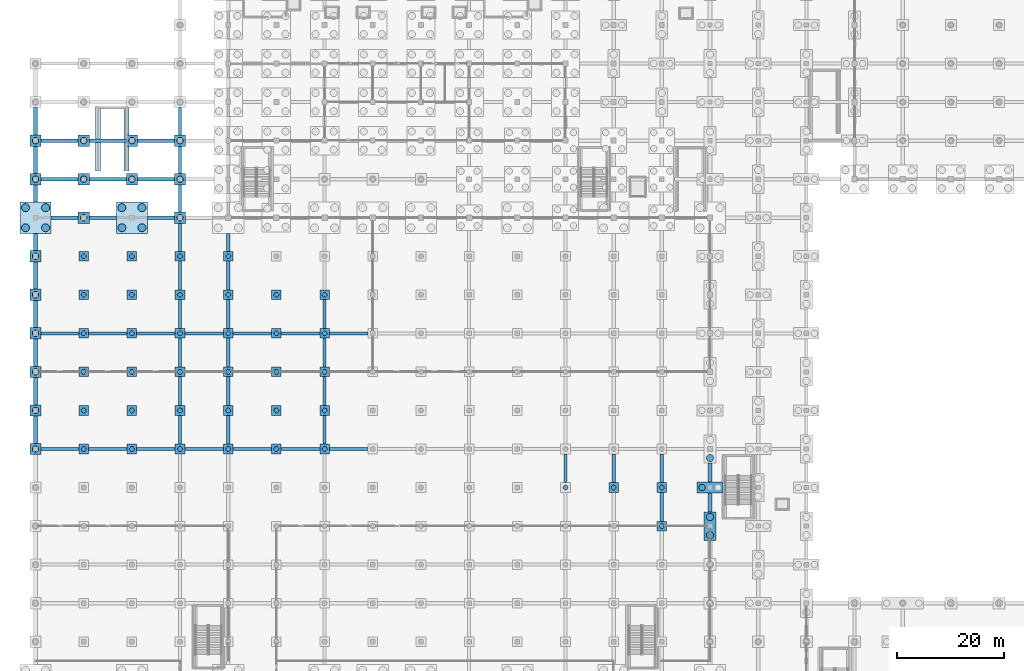
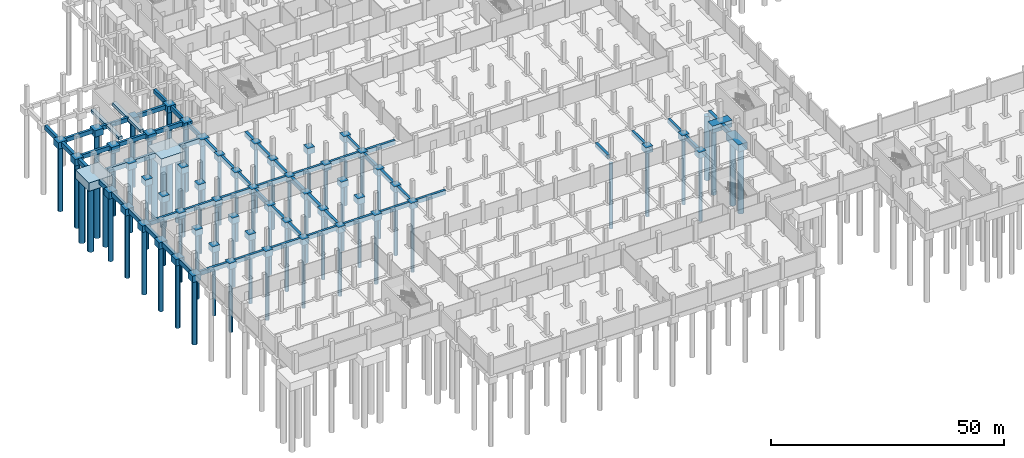
# One storey, part 3 of 39: 116 footings, 66 piles.
"""IFC4 building model written with IfcOpenShell, lengths in metres."""

from ifc_helpers import new_model, si_unit, direction, frame, origin, origin_2d, place, context, subcontext, project, spatial, rectangle, circle, extrude, material, material_profile, profile_set, type_object, element, save


model = new_model("IFC4")

# Units and contexts
model_context = context("Model", 3, precision=1e-05, world=origin(), true_north=direction((0.0, 1.0)))
body_context = subcontext(model_context, "Body", "Model", "MODEL_VIEW")
ifc_project = project(units=[si_unit("LENGTHUNIT", "METRE"), si_unit("AREAUNIT", "SQUARE_METRE"), si_unit("VOLUMEUNIT", "CUBIC_METRE"), si_unit("PLANEANGLEUNIT", "RADIAN"), si_unit("MASSUNIT", "GRAM", prefix="KILO")], contexts=[model_context])

# Site, building, storey
site_placement = place(None, origin())
site = spatial("IfcSite", under=ifc_project, at=site_placement, CompositionType="ELEMENT")
building_placement = place(site_placement, origin())
building = spatial("IfcBuilding", under=site, at=building_placement, Name="Celestram Park Convention Centre", CompositionType="ELEMENT")
storey_placement = place(building_placement, frame((0.0, 0.0, -5.39990234375)))
storey = spatial("IfcBuildingStorey", under=building, at=storey_placement, Name="B1", CompositionType="ELEMENT", Elevation=-5.39990234375)

# Footings
ifc_material_1 = material(Name="Concrete C40/50", Category="concrete")
footing_type_1 = type_object("IfcFootingType", Name="STR-CAP-PC1", PredefinedType="PILE_CAP", material=ifc_material_1)
for number, where, z_axis, x_axis, name in (
    (1, (9.0, 64.800048828125, -1.60009765625), (0.0, 0.0, 1.0), (1.0, 0.0, 0.0), "Caisson cap PC-01 at (9.0, 64.8)"),
    (2, (9.0, 72.0, -1.60009765625), (0.0, 0.0, 1.0), (1.0, 0.0, 0.0), "Caisson cap PC-01 at (9.0, 72.0)"),
    (3, (9.0, 79.199951171875, -1.60009765625), (0.0, 0.0, 1.0), (1.0, 0.0, 0.0), "Caisson cap PC-01 at (9.0, 79.2)"),
    (4, (9.0, 86.39990234375, -1.60009765625), (0.0, 0.0, 1.0), (1.0, 0.0, 0.0), "Caisson cap PC-01 at (9.0, 86.4)"),
    (5, (9.0, 93.60009765625, -1.60009765625), (0.0, 0.0, 1.0), (1.0, 0.0, 0.0), "Caisson cap PC-01 at (9.0, 93.6)"),
    (6, (9.0, 100.800048828125, -1.60009765625), (0.0, 0.0, 1.0), (1.0, 0.0, 0.0), "Caisson cap PC-01 at (9.0, 100.8)"),
    (7, (18.0, 64.800048828125, -1.60009765625), (0.0, 0.0, 1.0), (1.0, 0.0, 0.0), "Caisson cap PC-01 at (18.0, 64.8)"),
    (8, (18.0, 72.0, -1.60009765625), (0.0, 0.0, 1.0), (1.0, 0.0, 0.0), "Caisson cap PC-01 at (18.0, 72.0)"),
    (9, (18.0, 79.199951171875, -1.60009765625), (0.0, 0.0, 1.0), (1.0, 0.0, 0.0), "Caisson cap PC-01 at (18.0, 79.2)"),
    (10, (18.0, 86.39990234375, -1.60009765625), (0.0, 0.0, 1.0), (1.0, 0.0, 0.0), "Caisson cap PC-01 at (18.0, 86.4)"),
    (11, (18.0, 93.60009765625, -1.60009765625), (0.0, 0.0, 1.0), (1.0, 0.0, 0.0), "Caisson cap PC-01 at (18.0, 93.6)"),
    (12, (18.0, 100.800048828125, -1.60009765625), (0.0, 0.0, 1.0), (1.0, 0.0, 0.0), "Caisson cap PC-01 at (18.0, 100.8)"),
    (13, (27.0, 64.800048828125, -1.60009765625), (0.0, 0.0, 1.0), (1.0, 0.0, 0.0), "Caisson cap PC-01 at (27.0, 64.8)"),
    (14, (27.0, 72.0, -1.60009765625), (0.0, 0.0, 1.0), (1.0, 0.0, 0.0), "Caisson cap PC-01 at (27.0, 72.0)"),
    (15, (27.0, 79.199951171875, -1.60009765625), (0.0, 0.0, 1.0), (1.0, 0.0, 0.0), "Caisson cap PC-01 at (27.0, 79.2)"),
    (16, (27.0, 86.39990234375, -1.60009765625), (0.0, 0.0, 1.0), (1.0, 0.0, 0.0), "Caisson cap PC-01 at (27.0, 86.4)"),
    (17, (27.0, 93.60009765625, -1.60009765625), (0.0, 0.0, 1.0), (1.0, 0.0, 0.0), "Caisson cap PC-01 at (27.0, 93.6)"),
    (18, (27.0, 100.800048828125, -1.60009765625), (0.0, 0.0, 1.0), (1.0, 0.0, 0.0), "Caisson cap PC-01 at (27.0, 100.8)"),
    (19, (36.0, 64.800048828125, -1.60009765625), (0.0, 0.0, 1.0), (1.0, 0.0, 0.0), "Caisson cap PC-01 at (36.0, 64.8)"),
    (20, (36.0, 72.0, -1.60009765625), (0.0, 0.0, 1.0), (1.0, 0.0, 0.0), "Caisson cap PC-01 at (36.0, 72.0)"),
    (21, (36.0, 79.199951171875, -1.60009765625), (0.0, 0.0, 1.0), (1.0, 0.0, 0.0), "Caisson cap PC-01 at (36.0, 79.2)"),
    (22, (36.0, 86.39990234375, -1.60009765625), (0.0, 0.0, 1.0), (1.0, 0.0, 0.0), "Caisson cap PC-01 at (36.0, 86.4)"),
    (23, (36.0, 93.60009765625, -1.60009765625), (0.0, 0.0, 1.0), (1.0, 0.0, 0.0), "Caisson cap PC-01 at (36.0, 93.6)"),
    (24, (36.0, 100.800048828125, -1.60009765625), (0.0, 0.0, 1.0), (1.0, 0.0, 0.0), "Caisson cap PC-01 at (36.0, 100.8)"),
    (25, (45.0, 64.800048828125, -1.60009765625), (0.0, 0.0, 1.0), (1.0, 0.0, 0.0), "Caisson cap PC-01 at (45.0, 64.8)"),
    (26, (45.0, 72.0, -1.60009765625), (0.0, 0.0, 1.0), (1.0, 0.0, 0.0), "Caisson cap PC-01 at (45.0, 72.0)"),
    (27, (45.0, 79.199951171875, -1.60009765625), (0.0, 0.0, 1.0), (1.0, 0.0, 0.0), "Caisson cap PC-01 at (45.0, 79.2)"),
    (28, (45.0, 86.39990234375, -1.60009765625), (0.0, 0.0, 1.0), (1.0, 0.0, 0.0), "Caisson cap PC-01 at (45.0, 86.4)"),
    (29, (45.0, 93.60009765625, -1.60009765625), (0.0, 0.0, 1.0), (1.0, 0.0, 0.0), "Caisson cap PC-01 at (45.0, 93.6)"),
    (30, (54.0, 64.800048828125, -1.60009765625), (0.0, 0.0, 1.0), (1.0, 0.0, 0.0), "Caisson cap PC-01 at (54.0, 64.8)"),
    (31, (54.0, 72.0, -1.60009765625), (0.0, 0.0, 1.0), (1.0, 0.0, 0.0), "Caisson cap PC-01 at (54.0, 72.0)"),
    (32, (54.0, 79.199951171875, -1.60009765625), (0.0, 0.0, 1.0), (1.0, 0.0, 0.0), "Caisson cap PC-01 at (54.0, 79.2)"),
    (33, (54.0, 86.39990234375, -1.60009765625), (0.0, 0.0, 1.0), (1.0, 0.0, 0.0), "Caisson cap PC-01 at (54.0, 86.4)"),
    (34, (54.0, 93.60009765625, -1.60009765625), (0.0, 0.0, 1.0), (1.0, 0.0, 0.0), "Caisson cap PC-01 at (54.0, 93.6)"),
    (35, (108.0, 57.60009765625, -1.60009765625), (0.0, 0.0, 1.0), (1.0, 0.0, 0.0), "Caisson cap PC-01 at (108.0, 57.6)"),
    (36, (117.0, 50.39990234375, -1.60009765625), (0.0, 0.0, 1.0), (1.0, 0.0, 0.0), "Caisson cap PC-01 at (117.0, 50.4)"),
    (37, (117.0, 57.60009765625, -1.60009765625), (0.0, 0.0, 1.0), (1.0, 0.0, 0.0), "Caisson cap PC-01 at (117.0, 57.6)"),
):
    element("IfcFooting", number, at=place(storey_placement, frame(where, z_axis=z_axis, x_axis=x_axis)), inside=storey, type_object=footing_type_1, Name=name, PredefinedType="PILE_CAP", context=body_context, shape_type="SweptSolid", body=[
        extrude(rectangle(XDim=1.800048828125, YDim=1.800048828125, at=origin_2d()), origin(), (0.0, 0.0, 1.0), 1.60009765625),
    ])
footing_type_2 = type_object("IfcFootingType", Name="STR-CAP-PC2", PredefinedType="PILE_CAP", material=ifc_material_1)
for number, where, z_axis, x_axis, name in (
    (38, (0.0, 64.800048828125, -1.7001953125), (0.0, 0.0, 1.0), (1.0, 0.0, 0.0), "Caisson cap PC-02 at (0.0, 64.8)"),
    (39, (0.0, 72.0, -1.7001953125), (0.0, 0.0, 1.0), (1.0, 0.0, 0.0), "Caisson cap PC-02 at (0.0, 72.0)"),
    (40, (0.0, 79.199951171875, -1.7001953125), (0.0, 0.0, 1.0), (1.0, 0.0, 0.0), "Caisson cap PC-02 at (0.0, 79.2)"),
    (41, (0.0, 86.39990234375, -1.7001953125), (0.0, 0.0, 1.0), (1.0, 0.0, 0.0), "Caisson cap PC-02 at (0.0, 86.4)"),
    (42, (0.0, 93.60009765625, -1.7001953125), (0.0, 0.0, 1.0), (1.0, 0.0, 0.0), "Caisson cap PC-02 at (0.0, 93.6)"),
    (43, (0.0, 100.800048828125, -1.7001953125), (0.0, 0.0, 1.0), (1.0, 0.0, 0.0), "Caisson cap PC-02 at (0.0, 100.8)"),
    (44, (0.0, 115.199951171875, -1.7001953125), (0.0, 0.0, 1.0), (1.0, 0.0, 0.0), "Caisson cap PC-02 at (0.0, 115.2)"),
    (45, (0.0, 122.39990234375, -1.7001953125), (0.0, 0.0, 1.0), (1.0, 0.0, 0.0), "Caisson cap PC-02 at (0.0, 122.4)"),
    (46, (9.0, 108.0, -1.7001953125), (0.0, 0.0, 1.0), (1.0, 0.0, 0.0), "Caisson cap PC-02 at (9.0, 108.0)"),
    (47, (9.0, 115.199951171875, -1.7001953125), (0.0, 0.0, 1.0), (1.0, 0.0, 0.0), "Caisson cap PC-02 at (9.0, 115.2)"),
    (48, (9.0, 122.39990234375, -1.7001953125), (0.0, 0.0, 1.0), (1.0, 0.0, 0.0), "Caisson cap PC-02 at (9.0, 122.4)"),
    (49, (18.0, 115.199951171875, -1.7001953125), (0.0, 0.0, 1.0), (1.0, 0.0, 0.0), "Caisson cap PC-02 at (18.0, 115.2)"),
    (50, (18.0, 122.39990234375, -1.7001953125), (0.0, 0.0, 1.0), (1.0, 0.0, 0.0), "Caisson cap PC-02 at (18.0, 122.4)"),
    (51, (27.0, 108.0, -1.7001953125), (0.0, 0.0, 1.0), (1.0, 0.0, 0.0), "Caisson cap PC-02 at (27.0, 108.0)"),
    (52, (27.0, 115.199951171875, -1.7001953125), (0.0, 0.0, 1.0), (1.0, 0.0, 0.0), "Caisson cap PC-02 at (27.0, 115.2)"),
    (53, (27.0, 122.39990234375, -1.7001953125), (0.0, 0.0, 1.0), (1.0, 0.0, 0.0), "Caisson cap PC-02 at (27.0, 122.4)"),
):
    element("IfcFooting", number, at=place(storey_placement, frame(where, z_axis=z_axis, x_axis=x_axis)), inside=storey, type_object=footing_type_2, Name=name, PredefinedType="PILE_CAP", context=body_context, shape_type="SweptSolid", body=[
        extrude(rectangle(XDim=2.10009765625, YDim=2.10009765625, at=origin_2d()), origin(), (0.0, 0.0, 1.0), 1.699951171875),
    ])
footing_type_3 = type_object("IfcFootingType", Name="STR-CAP-PC4", PredefinedType="PILE_CAP", material=ifc_material_1)
footing_1_placement = place(storey_placement, frame((126.0, 57.60009765625, -1.80029296875), z_axis=(0.0, 0.0, 1.0), x_axis=(1.0, 0.0, 0.0)))
element("IfcFooting", 54, at=footing_1_placement, inside=storey, type_object=footing_type_3, Name="Caisson cap PC-04 at (126.0, 57.6)", PredefinedType="PILE_CAP", context=body_context, shape_type="SweptSolid", body=[
    extrude(rectangle(XDim=4.800048828125, YDim=2.10009765625, at=origin_2d()), origin(), (0.0, 0.0, 1.0), 1.800048828125),
])
footing_type_4 = type_object("IfcFootingType", Name="STR-CAP-PC5", PredefinedType="PILE_CAP", material=ifc_material_1)
footing_2_placement = place(storey_placement, frame((126.0, 50.39990234375, -1.900146484375), z_axis=(0.0, 0.0, 1.0), x_axis=(1.0, 0.0, 0.0)))
element("IfcFooting", 55, at=footing_2_placement, inside=storey, type_object=footing_type_4, Name="Caisson cap PC-05 at (126.0, 50.4)", PredefinedType="PILE_CAP", context=body_context, shape_type="SweptSolid", body=[
    extrude(rectangle(XDim=2.199951171875, YDim=5.300048828125, at=origin_2d()), origin(), (0.0, 0.0, 1.0), 1.89990234375),
])
footing_type_5 = type_object("IfcFootingType", Name="STR-CAP-PC8", PredefinedType="PILE_CAP", material=ifc_material_1)
for number, where, z_axis, x_axis, name in (
    (56, (0.0, 108.0, -2.2001953125), (0.0, 0.0, 1.0), (1.0, 0.0, 0.0), "Caisson cap PC-08 at (0.0, 108.0)"),
    (57, (18.0, 108.0, -2.2001953125), (0.0, 0.0, 1.0), (1.0, 0.0, 0.0), "Caisson cap PC-08 at (18.0, 108.0)"),
):
    element("IfcFooting", number, at=place(storey_placement, frame(where, z_axis=z_axis, x_axis=x_axis)), inside=storey, type_object=footing_type_5, Name=name, PredefinedType="PILE_CAP", context=body_context, shape_type="SweptSolid", body=[
        extrude(rectangle(XDim=5.800048828125, YDim=5.800048828125, at=origin_2d()), origin(), (0.0, 0.0, 1.0), 2.199951171875),
    ])
ifc_material_2 = material(Name="Concrete C35/45", Category="concrete")
footing_type_6 = type_object("IfcFootingType", Name="STR-FTG-GB01", PredefinedType="FOOTING_BEAM", material=ifc_material_2)
for number, where, z_axis, x_axis, name in (
    (58, (5.425048828125, 108.0, -1.2001953125), (0.0, 0.0, 1.0), (1.0, 0.0, 0.0), "Grade tie beam GB-B1-018"),
    (59, (12.574951171875, 108.0, -1.2001953125), (0.0, 0.0, 1.0), (1.0, 0.0, 0.0), "Grade tie beam GB-B1-032"),
    (60, (23.425048828125, 108.0, -1.2001953125), (0.0, 0.0, 1.0), (1.0, 0.0, 0.0), "Grade tie beam GB-B1-042"),
):
    element("IfcFooting", number, at=place(storey_placement, frame(where, z_axis=z_axis, x_axis=x_axis)), inside=storey, type_object=footing_type_6, Name=name, PredefinedType="FOOTING_BEAM", context=body_context, shape_type="SweptSolid", body=[
        extrude(rectangle(XDim=5.050048828125, YDim=0.699951171875, at=origin_2d()), origin(), (0.0, 0.0, 1.0), 1.199951171875),
    ])
footing_type_7 = type_object("IfcFootingType", Name="STR-FTG-GB02", PredefinedType="FOOTING_BEAM", material=ifc_material_2)
for number, where, z_axis, x_axis, name in (
    (61, (0.0, 103.47509765625, -1.2001953125), (0.0, 0.0, 1.0), (0.0, 1.0, 0.0), "Grade tie beam GB-B1-017"),
    (62, (0.0, 112.52490234375, -1.2001953125), (0.0, 0.0, 1.0), (0.0, 1.0, 0.0), "Grade tie beam GB-B1-019"),
):
    element("IfcFooting", number, at=place(storey_placement, frame(where, z_axis=z_axis, x_axis=x_axis)), inside=storey, type_object=footing_type_7, Name=name, PredefinedType="FOOTING_BEAM", context=body_context, shape_type="SweptSolid", body=[
        extrude(rectangle(XDim=3.25, YDim=0.699951171875, at=origin_2d()), origin(), (0.0, 0.0, 1.0), 1.199951171875),
    ])
footing_type_8 = type_object("IfcFootingType", Name="STR-FTG-GB03", PredefinedType="FOOTING_BEAM", material=ifc_material_2)
for number, where, z_axis, x_axis, name in (
    (63, (0.0, 68.39990234375, -1.2001953125), (0.0, 0.0, 1.0), (0.0, 1.0, 0.0), "Grade tie beam GB-B1-011"),
    (64, (0.0, 75.60009765625, -1.2001953125), (0.0, 0.0, 1.0), (0.0, 1.0, 0.0), "Grade tie beam GB-B1-012"),
    (65, (0.0, 82.800048828125, -1.2001953125), (0.0, 0.0, 1.0), (0.0, 1.0, 0.0), "Grade tie beam GB-B1-013"),
    (66, (0.0, 90.0, -1.2001953125), (0.0, 0.0, 1.0), (0.0, 1.0, 0.0), "Grade tie beam GB-B1-015"),
    (67, (0.0, 97.199951171875, -1.2001953125), (0.0, 0.0, 1.0), (0.0, 1.0, 0.0), "Grade tie beam GB-B1-016"),
    (68, (0.0, 118.800048828125, -1.2001953125), (0.0, 0.0, 1.0), (0.0, 1.0, 0.0), "Grade tie beam GB-B1-021"),
    (69, (0.0, 126.0, -1.2001953125), (0.0, 0.0, 1.0), (0.0, 1.0, 0.0), "Grade tie beam GB-B1-023"),
):
    element("IfcFooting", number, at=place(storey_placement, frame(where, z_axis=z_axis, x_axis=x_axis)), inside=storey, type_object=footing_type_8, Name=name, PredefinedType="FOOTING_BEAM", context=body_context, shape_type="SweptSolid", body=[
        extrude(rectangle(XDim=5.10009765625, YDim=0.699951171875, at=origin_2d()), origin(), (0.0, 0.0, 1.0), 1.199951171875),
    ])
footing_type_9 = type_object("IfcFootingType", Name="STR-FTG-GB04", PredefinedType="FOOTING_BEAM", material=ifc_material_2)
for number, where, z_axis, x_axis, name in (
    (70, (4.574951171875, 64.800048828125, -1.10009765625), (0.0, 0.0, 1.0), (1.0, 0.0, 0.0), "Grade tie beam GB-B1-010"),
    (71, (4.574951171875, 86.39990234375, -1.10009765625), (0.0, 0.0, 1.0), (1.0, 0.0, 0.0), "Grade tie beam GB-B1-014"),
):
    element("IfcFooting", number, at=place(storey_placement, frame(where, z_axis=z_axis, x_axis=x_axis)), inside=storey, type_object=footing_type_9, Name=name, PredefinedType="FOOTING_BEAM", context=body_context, shape_type="SweptSolid", body=[
        extrude(rectangle(XDim=7.050048828125, YDim=0.60009765625, at=origin_2d()), origin(), (0.0, 0.0, 1.0), 1.10009765625),
    ])
footing_type_10 = type_object("IfcFootingType", Name="STR-FTG-GB05", PredefinedType="FOOTING_BEAM", material=ifc_material_2)
for number, where, z_axis, x_axis, name in (
    (72, (4.5, 115.199951171875, -1.10009765625), (0.0, 0.0, 1.0), (1.0, 0.0, 0.0), "Grade tie beam GB-B1-020"),
    (73, (4.5, 122.39990234375, -1.10009765625), (0.0, 0.0, 1.0), (1.0, 0.0, 0.0), "Grade tie beam GB-B1-022"),
    (74, (13.5, 115.199951171875, -1.10009765625), (0.0, 0.0, 1.0), (1.0, 0.0, 0.0), "Grade tie beam GB-B1-033"),
    (75, (13.5, 122.39990234375, -1.10009765625), (0.0, 0.0, 1.0), (1.0, 0.0, 0.0), "Grade tie beam GB-B1-034"),
    (76, (22.5, 115.199951171875, -1.10009765625), (0.0, 0.0, 1.0), (1.0, 0.0, 0.0), "Grade tie beam GB-B1-043"),
    (77, (22.5, 122.39990234375, -1.10009765625), (0.0, 0.0, 1.0), (1.0, 0.0, 0.0), "Grade tie beam GB-B1-044"),
):
    element("IfcFooting", number, at=place(storey_placement, frame(where, z_axis=z_axis, x_axis=x_axis)), inside=storey, type_object=footing_type_10, Name=name, PredefinedType="FOOTING_BEAM", context=body_context, shape_type="SweptSolid", body=[
        extrude(rectangle(XDim=6.89990234375, YDim=0.60009765625, at=origin_2d()), origin(), (0.0, 0.0, 1.0), 1.10009765625),
    ])
footing_type_11 = type_object("IfcFootingType", Name="STR-FTG-GB06", PredefinedType="FOOTING_BEAM", material=ifc_material_2)
for number, where, z_axis, x_axis, name in (
    (78, (13.5, 64.800048828125, -1.10009765625), (0.0, 0.0, 1.0), (1.0, 0.0, 0.0), "Grade tie beam GB-B1-030"),
    (79, (13.5, 86.39990234375, -1.10009765625), (0.0, 0.0, 1.0), (1.0, 0.0, 0.0), "Grade tie beam GB-B1-031"),
    (80, (22.5, 64.800048828125, -1.10009765625), (0.0, 0.0, 1.0), (1.0, 0.0, 0.0), "Grade tie beam GB-B1-040"),
    (81, (22.5, 86.39990234375, -1.10009765625), (0.0, 0.0, 1.0), (1.0, 0.0, 0.0), "Grade tie beam GB-B1-041"),
    (82, (31.5, 64.800048828125, -1.10009765625), (0.0, 0.0, 1.0), (1.0, 0.0, 0.0), "Grade tie beam GB-B1-056"),
    (83, (31.5, 86.39990234375, -1.10009765625), (0.0, 0.0, 1.0), (1.0, 0.0, 0.0), "Grade tie beam GB-B1-060"),
    (84, (40.5, 64.800048828125, -1.10009765625), (0.0, 0.0, 1.0), (1.0, 0.0, 0.0), "Grade tie beam GB-B1-092"),
    (85, (40.5, 86.39990234375, -1.10009765625), (0.0, 0.0, 1.0), (1.0, 0.0, 0.0), "Grade tie beam GB-B1-096"),
    (86, (49.5, 64.800048828125, -1.10009765625), (0.0, 0.0, 1.0), (1.0, 0.0, 0.0), "Grade tie beam GB-B1-119"),
    (87, (49.5, 86.39990234375, -1.10009765625), (0.0, 0.0, 1.0), (1.0, 0.0, 0.0), "Grade tie beam GB-B1-120"),
    (88, (58.5, 64.800048828125, -1.10009765625), (0.0, 0.0, 1.0), (1.0, 0.0, 0.0), "Grade tie beam GB-B1-141"),
    (89, (58.5, 86.39990234375, -1.10009765625), (0.0, 0.0, 1.0), (1.0, 0.0, 0.0), "Grade tie beam GB-B1-145"),
):
    element("IfcFooting", number, at=place(storey_placement, frame(where, z_axis=z_axis, x_axis=x_axis)), inside=storey, type_object=footing_type_11, Name=name, PredefinedType="FOOTING_BEAM", context=body_context, shape_type="SweptSolid", body=[
        extrude(rectangle(XDim=7.199951171875, YDim=0.60009765625, at=origin_2d()), origin(), (0.0, 0.0, 1.0), 1.10009765625),
    ])
footing_type_12 = type_object("IfcFootingType", Name="STR-FTG-GB07", PredefinedType="FOOTING_BEAM", material=ifc_material_2)
footing_3_placement = place(storey_placement, frame((27.0, 104.324951171875, -1.10009765625), z_axis=(0.0, 0.0, 1.0), x_axis=(0.0, 1.0, 0.0)))
element("IfcFooting", 90, at=footing_3_placement, inside=storey, type_object=footing_type_12, Name="Grade tie beam GB-B1-063", PredefinedType="FOOTING_BEAM", context=body_context, shape_type="SweptSolid", body=[
    extrude(rectangle(XDim=5.25, YDim=0.60009765625, at=origin_2d()), origin(), (0.0, 0.0, 1.0), 1.10009765625),
])
footing_type_13 = type_object("IfcFootingType", Name="STR-FTG-GB08", PredefinedType="FOOTING_BEAM", material=ifc_material_2)
for number, where, z_axis, x_axis, name in (
    (91, (27.0, 68.39990234375, -1.10009765625), (0.0, 0.0, 1.0), (0.0, 1.0, 0.0), "Grade tie beam GB-B1-057"),
    (92, (27.0, 75.60009765625, -1.10009765625), (0.0, 0.0, 1.0), (0.0, 1.0, 0.0), "Grade tie beam GB-B1-058"),
    (93, (27.0, 82.800048828125, -1.10009765625), (0.0, 0.0, 1.0), (0.0, 1.0, 0.0), "Grade tie beam GB-B1-059"),
    (94, (27.0, 90.0, -1.10009765625), (0.0, 0.0, 1.0), (0.0, 1.0, 0.0), "Grade tie beam GB-B1-061"),
    (95, (27.0, 97.199951171875, -1.10009765625), (0.0, 0.0, 1.0), (0.0, 1.0, 0.0), "Grade tie beam GB-B1-062"),
    (96, (54.0, 68.39990234375, -1.10009765625), (0.0, 0.0, 1.0), (0.0, 1.0, 0.0), "Grade tie beam GB-B1-142"),
    (97, (54.0, 75.60009765625, -1.10009765625), (0.0, 0.0, 1.0), (0.0, 1.0, 0.0), "Grade tie beam GB-B1-143"),
    (98, (54.0, 82.800048828125, -1.10009765625), (0.0, 0.0, 1.0), (0.0, 1.0, 0.0), "Grade tie beam GB-B1-144"),
    (99, (54.0, 90.0, -1.10009765625), (0.0, 0.0, 1.0), (0.0, 1.0, 0.0), "Grade tie beam GB-B1-146"),
    (100, (99.0, 61.199951171875, -1.10009765625), (0.0, 0.0, 1.0), (0.0, 1.0, 0.0), "Grade tie beam GB-B1-251"),
    (101, (108.0, 61.199951171875, -1.10009765625), (0.0, 0.0, 1.0), (0.0, 1.0, 0.0), "Grade tie beam GB-B1-287"),
    (102, (117.0, 54.0, -1.10009765625), (0.0, 0.0, 1.0), (0.0, 1.0, 0.0), "Grade tie beam GB-B1-321"),
    (103, (117.0, 61.199951171875, -1.10009765625), (0.0, 0.0, 1.0), (0.0, 1.0, 0.0), "Grade tie beam GB-B1-322"),
):
    element("IfcFooting", number, at=place(storey_placement, frame(where, z_axis=z_axis, x_axis=x_axis)), inside=storey, type_object=footing_type_13, Name=name, PredefinedType="FOOTING_BEAM", context=body_context, shape_type="SweptSolid", body=[
        extrude(rectangle(XDim=5.39990234375, YDim=0.60009765625, at=origin_2d()), origin(), (0.0, 0.0, 1.0), 1.10009765625),
    ])
footing_type_14 = type_object("IfcFootingType", Name="STR-FTG-GB09", PredefinedType="FOOTING_BEAM", material=ifc_material_2)
for number, where, z_axis, x_axis, name in (
    (104, (27.0, 111.60009765625, -1.10009765625), (0.0, 0.0, 1.0), (0.0, 1.0, 0.0), "Grade tie beam GB-B1-065"),
    (105, (27.0, 118.800048828125, -1.10009765625), (0.0, 0.0, 1.0), (0.0, 1.0, 0.0), "Grade tie beam GB-B1-067"),
    (106, (27.0, 126.0, -1.10009765625), (0.0, 0.0, 1.0), (0.0, 1.0, 0.0), "Grade tie beam GB-B1-069"),
):
    element("IfcFooting", number, at=place(storey_placement, frame(where, z_axis=z_axis, x_axis=x_axis)), inside=storey, type_object=footing_type_14, Name=name, PredefinedType="FOOTING_BEAM", context=body_context, shape_type="SweptSolid", body=[
        extrude(rectangle(XDim=5.10009765625, YDim=0.60009765625, at=origin_2d()), origin(), (0.0, 0.0, 1.0), 1.10009765625),
    ])
footing_type_15 = type_object("IfcFootingType", Name="STR-FTG-GB13", PredefinedType="FOOTING_BEAM", material=ifc_material_2)
footing_4_placement = place(storey_placement, frame((36.0, 103.39990234375, -1.2001953125), z_axis=(0.0, 0.0, 1.0), x_axis=(0.0, 1.0, 0.0)))
element("IfcFooting", 107, at=footing_4_placement, inside=storey, type_object=footing_type_15, Name="Grade tie beam GB-B1-099", PredefinedType="FOOTING_BEAM", context=body_context, shape_type="SweptSolid", body=[
    extrude(rectangle(XDim=3.39990234375, YDim=0.699951171875, at=origin_2d()), origin(), (0.0, 0.0, 1.0), 1.199951171875),
])
footing_type_16 = type_object("IfcFootingType", Name="STR-FTG-GB14", PredefinedType="FOOTING_BEAM", material=ifc_material_2)
for number, where, z_axis, x_axis, name in (
    (108, (36.0, 68.39990234375, -1.2001953125), (0.0, 0.0, 1.0), (0.0, 1.0, 0.0), "Grade tie beam GB-B1-093"),
    (109, (36.0, 75.60009765625, -1.2001953125), (0.0, 0.0, 1.0), (0.0, 1.0, 0.0), "Grade tie beam GB-B1-094"),
    (110, (36.0, 82.800048828125, -1.2001953125), (0.0, 0.0, 1.0), (0.0, 1.0, 0.0), "Grade tie beam GB-B1-095"),
    (111, (36.0, 90.0, -1.2001953125), (0.0, 0.0, 1.0), (0.0, 1.0, 0.0), "Grade tie beam GB-B1-097"),
    (112, (36.0, 97.199951171875, -1.2001953125), (0.0, 0.0, 1.0), (0.0, 1.0, 0.0), "Grade tie beam GB-B1-098"),
):
    element("IfcFooting", number, at=place(storey_placement, frame(where, z_axis=z_axis, x_axis=x_axis)), inside=storey, type_object=footing_type_16, Name=name, PredefinedType="FOOTING_BEAM", context=body_context, shape_type="SweptSolid", body=[
        extrude(rectangle(XDim=5.39990234375, YDim=0.699951171875, at=origin_2d()), origin(), (0.0, 0.0, 1.0), 1.199951171875),
    ])
footing_type_17 = type_object("IfcFootingType", Name="STR-FTG-GB39", PredefinedType="FOOTING_BEAM", material=ifc_material_2)
for number, where, z_axis, x_axis, name in (
    (113, (126.0, 54.800048828125, -1.2001953125), (0.0, 0.0, 1.0), (0.0, 1.0, 0.0), "Grade tie beam GB-B1-353"),
    (114, (126.0, 60.39990234375, -1.2001953125), (0.0, 0.0, 1.0), (0.0, 1.0, 0.0), "Grade tie beam GB-B1-354"),
):
    element("IfcFooting", number, at=place(storey_placement, frame(where, z_axis=z_axis, x_axis=x_axis)), inside=storey, type_object=footing_type_17, Name=name, PredefinedType="FOOTING_BEAM", context=body_context, shape_type="SweptSolid", body=[
        extrude(rectangle(XDim=3.5, YDim=0.699951171875, at=origin_2d()), origin(), (0.0, 0.0, 1.0), 1.199951171875),
    ])
footing_type_18 = type_object("IfcFootingType", Name="STR-FTG-SF50", PredefinedType="STRIP_FOOTING", material=ifc_material_2)
for number, where, z_axis, x_axis, name in (
    (115, (11.669921875, 122.7451171875, -0.75), (0.0, 0.0, 1.0), (0.0, 1.0, 0.0), "Core S15 strip footing"),
    (116, (16.969970703125, 122.7451171875, -0.75), (0.0, 0.0, 1.0), (0.0, 1.0, 0.0), "Core S15 strip footing"),
):
    element("IfcFooting", number, at=place(storey_placement, frame(where, z_axis=z_axis, x_axis=x_axis)), inside=storey, type_object=footing_type_18, Name=name, PredefinedType="STRIP_FOOTING", context=body_context, shape_type="SweptSolid", body=[
        extrude(rectangle(XDim=11.989990234375, YDim=0.89990234375, at=origin_2d()), origin(), (0.0, 0.0, 1.0), 0.75),
    ])

# Piles
ifc_material_profile_1 = material_profile(ifc_material_1, circle(Radius=0.60009765625, at=origin_2d()), Name="CAISSON1200")
ifc_profile_set_1 = profile_set([ifc_material_profile_1], Name="Concrete C40/50")
pile_type_1 = type_object("IfcPileType", Name="STR-PIL-C1200", PredefinedType="BORED", material=ifc_profile_set_1)
for number, where, z_axis, x_axis, name in (
    (117, (0.0, 64.800048828125, -1.60009765625), (0.0, 0.0, -1.0), (1.0, 0.0, 0.0), "Bored caisson PC-B1-010"),
    (118, (0.0, 72.0, -1.60009765625), (0.0, 0.0, -1.0), (1.0, 0.0, 0.0), "Bored caisson PC-B1-011"),
    (119, (0.0, 79.199951171875, -1.60009765625), (0.0, 0.0, -1.0), (1.0, 0.0, 0.0), "Bored caisson PC-B1-012"),
    (120, (0.0, 86.39990234375, -1.60009765625), (0.0, 0.0, -1.0), (1.0, 0.0, 0.0), "Bored caisson PC-B1-013"),
    (121, (0.0, 93.60009765625, -1.60009765625), (0.0, 0.0, -1.0), (1.0, 0.0, 0.0), "Bored caisson PC-B1-014"),
    (122, (0.0, 100.800048828125, -1.60009765625), (0.0, 0.0, -1.0), (1.0, 0.0, 0.0), "Bored caisson PC-B1-015"),
    (123, (0.0, 115.199951171875, -1.60009765625), (0.0, 0.0, -1.0), (1.0, 0.0, 0.0), "Bored caisson PC-B1-020"),
    (124, (0.0, 122.39990234375, -1.60009765625), (0.0, 0.0, -1.0), (1.0, 0.0, 0.0), "Bored caisson PC-B1-021"),
    (125, (9.0, 108.0, -1.60009765625), (0.0, 0.0, -1.0), (1.0, 0.0, 0.0), "Bored caisson PC-B1-036"),
    (126, (9.0, 115.199951171875, -1.60009765625), (0.0, 0.0, -1.0), (1.0, 0.0, 0.0), "Bored caisson PC-B1-037"),
    (127, (9.0, 122.39990234375, -1.60009765625), (0.0, 0.0, -1.0), (1.0, 0.0, 0.0), "Bored caisson PC-B1-038"),
    (128, (18.0, 115.199951171875, -1.60009765625), (0.0, 0.0, -1.0), (1.0, 0.0, 0.0), "Bored caisson PC-B1-060"),
    (129, (18.0, 122.39990234375, -1.60009765625), (0.0, 0.0, -1.0), (1.0, 0.0, 0.0), "Bored caisson PC-B1-061"),
    (130, (27.0, 108.0, -1.60009765625), (0.0, 0.0, -1.0), (1.0, 0.0, 0.0), "Bored caisson PC-B1-076"),
    (131, (27.0, 115.199951171875, -1.60009765625), (0.0, 0.0, -1.0), (1.0, 0.0, 0.0), "Bored caisson PC-B1-077"),
    (132, (27.0, 122.39990234375, -1.60009765625), (0.0, 0.0, -1.0), (1.0, 0.0, 0.0), "Bored caisson PC-B1-078"),
):
    element("IfcPile", number, at=place(storey_placement, frame(where, z_axis=z_axis, x_axis=x_axis)), inside=storey, type_object=pile_type_1, Name=name, PredefinedType="BORED", context=body_context, shape_type="SweptSolid", body=[
        extrude(circle(Radius=0.60009765625, at=origin_2d()), origin(), (0.0, 0.0, 1.0), 17.0),
    ])
pile_placement = place(storey_placement, frame((124.5, 57.60009765625, -1.7001953125), z_axis=(0.0, 0.0, -1.0), x_axis=(1.0, 0.0, 0.0)))
element("IfcPile", 133, at=pile_placement, inside=storey, type_object=pile_type_1, Name="Bored caisson PC-B1-589", PredefinedType="BORED", context=body_context, shape_type="SweptSolid", body=[
    extrude(circle(Radius=0.60009765625, at=origin_2d()), origin(), (0.0, 0.0, 1.0), 16.89990234375),
])
ifc_material_profile_2 = material_profile(ifc_material_1, circle(Radius=0.675048828125, at=origin_2d()), Name="CAISSON1350")
ifc_profile_set_2 = profile_set([ifc_material_profile_2], Name="Concrete C40/50")
pile_type_2 = type_object("IfcPileType", Name="STR-PIL-C1350", PredefinedType="BORED", material=ifc_profile_set_2)
for number, where, z_axis, x_axis, name in (
    (134, (126.0, 48.699951171875, -1.800048828125), (0.0, 0.0, -1.0), (1.0, 0.0, 0.0), "Bored caisson PC-B1-587"),
    (135, (126.0, 52.10009765625, -1.800048828125), (0.0, 0.0, -1.0), (1.0, 0.0, 0.0), "Bored caisson PC-B1-588"),
    (136, (126.0, 63.10009765625, -1.800048828125), (0.0, 0.0, -1.0), (1.0, 0.0, 0.0), "Bored caisson PC-B1-591"),
):
    element("IfcPile", number, at=place(storey_placement, frame(where, z_axis=z_axis, x_axis=x_axis)), inside=storey, type_object=pile_type_2, Name=name, PredefinedType="BORED", context=body_context, shape_type="SweptSolid", body=[
        extrude(circle(Radius=0.675048828125, at=origin_2d()), origin(), (0.0, 0.0, 1.0), 16.800048828125),
    ])
ifc_material_profile_3 = material_profile(ifc_material_1, circle(Radius=0.75, at=origin_2d()), Name="CAISSON1500")
ifc_profile_set_3 = profile_set([ifc_material_profile_3], Name="Concrete C40/50")
pile_type_3 = type_object("IfcPileType", Name="STR-PIL-C1500", PredefinedType="BORED", material=ifc_profile_set_3)
for number, where, z_axis, x_axis, name in (
    (137, (-1.875, 106.125, -2.10009765625), (0.0, 0.0, -1.0), (1.0, 0.0, 0.0), "Bored caisson PC-B1-016"),
    (138, (1.875, 106.125, -2.10009765625), (0.0, 0.0, -1.0), (1.0, 0.0, 0.0), "Bored caisson PC-B1-017"),
    (139, (-1.875, 109.875, -2.10009765625), (0.0, 0.0, -1.0), (1.0, 0.0, 0.0), "Bored caisson PC-B1-018"),
    (140, (1.875, 109.875, -2.10009765625), (0.0, 0.0, -1.0), (1.0, 0.0, 0.0), "Bored caisson PC-B1-019"),
    (141, (16.125, 106.125, -2.10009765625), (0.0, 0.0, -1.0), (1.0, 0.0, 0.0), "Bored caisson PC-B1-056"),
    (142, (19.875, 106.125, -2.10009765625), (0.0, 0.0, -1.0), (1.0, 0.0, 0.0), "Bored caisson PC-B1-057"),
    (143, (16.125, 109.875, -2.10009765625), (0.0, 0.0, -1.0), (1.0, 0.0, 0.0), "Bored caisson PC-B1-058"),
    (144, (19.875, 109.875, -2.10009765625), (0.0, 0.0, -1.0), (1.0, 0.0, 0.0), "Bored caisson PC-B1-059"),
):
    element("IfcPile", number, at=place(storey_placement, frame(where, z_axis=z_axis, x_axis=x_axis)), inside=storey, type_object=pile_type_3, Name=name, PredefinedType="BORED", context=body_context, shape_type="SweptSolid", body=[
        extrude(circle(Radius=0.75, at=origin_2d()), origin(), (0.0, 0.0, 1.0), 16.5),
    ])
ifc_material_profile_4 = material_profile(ifc_material_1, circle(Radius=0.449951171875, at=origin_2d()), Name="CAISSON900")
ifc_profile_set_4 = profile_set([ifc_material_profile_4], Name="Concrete C40/50")
pile_type_4 = type_object("IfcPileType", Name="STR-PIL-C900", PredefinedType="BORED", material=ifc_profile_set_4)
for number, where, z_axis, x_axis, name in (
    (145, (9.0, 64.800048828125, -1.5), (0.0, 0.0, -1.0), (1.0, 0.0, 0.0), "Bored caisson PC-B1-030"),
    (146, (9.0, 72.0, -1.5), (0.0, 0.0, -1.0), (1.0, 0.0, 0.0), "Bored caisson PC-B1-031"),
    (147, (9.0, 79.199951171875, -1.5), (0.0, 0.0, -1.0), (1.0, 0.0, 0.0), "Bored caisson PC-B1-032"),
    (148, (9.0, 86.39990234375, -1.5), (0.0, 0.0, -1.0), (1.0, 0.0, 0.0), "Bored caisson PC-B1-033"),
    (149, (9.0, 93.60009765625, -1.5), (0.0, 0.0, -1.0), (1.0, 0.0, 0.0), "Bored caisson PC-B1-034"),
    (150, (9.0, 100.800048828125, -1.5), (0.0, 0.0, -1.0), (1.0, 0.0, 0.0), "Bored caisson PC-B1-035"),
    (151, (18.0, 64.800048828125, -1.5), (0.0, 0.0, -1.0), (1.0, 0.0, 0.0), "Bored caisson PC-B1-050"),
    (152, (18.0, 72.0, -1.5), (0.0, 0.0, -1.0), (1.0, 0.0, 0.0), "Bored caisson PC-B1-051"),
    (153, (18.0, 79.199951171875, -1.5), (0.0, 0.0, -1.0), (1.0, 0.0, 0.0), "Bored caisson PC-B1-052"),
    (154, (18.0, 86.39990234375, -1.5), (0.0, 0.0, -1.0), (1.0, 0.0, 0.0), "Bored caisson PC-B1-053"),
    (155, (18.0, 93.60009765625, -1.5), (0.0, 0.0, -1.0), (1.0, 0.0, 0.0), "Bored caisson PC-B1-054"),
    (156, (18.0, 100.800048828125, -1.5), (0.0, 0.0, -1.0), (1.0, 0.0, 0.0), "Bored caisson PC-B1-055"),
    (157, (27.0, 64.800048828125, -1.5), (0.0, 0.0, -1.0), (1.0, 0.0, 0.0), "Bored caisson PC-B1-070"),
    (158, (27.0, 72.0, -1.5), (0.0, 0.0, -1.0), (1.0, 0.0, 0.0), "Bored caisson PC-B1-071"),
    (159, (27.0, 79.199951171875, -1.5), (0.0, 0.0, -1.0), (1.0, 0.0, 0.0), "Bored caisson PC-B1-072"),
    (160, (27.0, 86.39990234375, -1.5), (0.0, 0.0, -1.0), (1.0, 0.0, 0.0), "Bored caisson PC-B1-073"),
    (161, (27.0, 93.60009765625, -1.5), (0.0, 0.0, -1.0), (1.0, 0.0, 0.0), "Bored caisson PC-B1-074"),
    (162, (27.0, 100.800048828125, -1.5), (0.0, 0.0, -1.0), (1.0, 0.0, 0.0), "Bored caisson PC-B1-075"),
    (163, (36.0, 64.800048828125, -1.5), (0.0, 0.0, -1.0), (1.0, 0.0, 0.0), "Bored caisson PC-B1-097"),
    (164, (36.0, 72.0, -1.5), (0.0, 0.0, -1.0), (1.0, 0.0, 0.0), "Bored caisson PC-B1-098"),
    (165, (36.0, 79.199951171875, -1.5), (0.0, 0.0, -1.0), (1.0, 0.0, 0.0), "Bored caisson PC-B1-099"),
    (166, (36.0, 86.39990234375, -1.5), (0.0, 0.0, -1.0), (1.0, 0.0, 0.0), "Bored caisson PC-B1-100"),
    (167, (36.0, 93.60009765625, -1.5), (0.0, 0.0, -1.0), (1.0, 0.0, 0.0), "Bored caisson PC-B1-101"),
    (168, (36.0, 100.800048828125, -1.5), (0.0, 0.0, -1.0), (1.0, 0.0, 0.0), "Bored caisson PC-B1-102"),
    (169, (45.0, 64.800048828125, -1.5), (0.0, 0.0, -1.0), (1.0, 0.0, 0.0), "Bored caisson PC-B1-148"),
    (170, (45.0, 72.0, -1.5), (0.0, 0.0, -1.0), (1.0, 0.0, 0.0), "Bored caisson PC-B1-149"),
    (171, (45.0, 79.199951171875, -1.5), (0.0, 0.0, -1.0), (1.0, 0.0, 0.0), "Bored caisson PC-B1-150"),
    (172, (45.0, 86.39990234375, -1.5), (0.0, 0.0, -1.0), (1.0, 0.0, 0.0), "Bored caisson PC-B1-151"),
    (173, (45.0, 93.60009765625, -1.5), (0.0, 0.0, -1.0), (1.0, 0.0, 0.0), "Bored caisson PC-B1-152"),
    (174, (54.0, 64.800048828125, -1.5), (0.0, 0.0, -1.0), (1.0, 0.0, 0.0), "Bored caisson PC-B1-202"),
    (175, (54.0, 72.0, -1.5), (0.0, 0.0, -1.0), (1.0, 0.0, 0.0), "Bored caisson PC-B1-203"),
    (176, (54.0, 79.199951171875, -1.5), (0.0, 0.0, -1.0), (1.0, 0.0, 0.0), "Bored caisson PC-B1-204"),
    (177, (54.0, 86.39990234375, -1.5), (0.0, 0.0, -1.0), (1.0, 0.0, 0.0), "Bored caisson PC-B1-205"),
    (178, (54.0, 93.60009765625, -1.5), (0.0, 0.0, -1.0), (1.0, 0.0, 0.0), "Bored caisson PC-B1-206"),
    (179, (99.0, 57.60009765625, -1.5), (0.0, 0.0, -1.0), (1.0, 0.0, 0.0), "Bored caisson PC-B1-456"),
    (180, (108.0, 57.60009765625, -1.5), (0.0, 0.0, -1.0), (1.0, 0.0, 0.0), "Bored caisson PC-B1-510"),
    (181, (117.0, 50.39990234375, -1.5), (0.0, 0.0, -1.0), (1.0, 0.0, 0.0), "Bored caisson PC-B1-548"),
    (182, (117.0, 57.60009765625, -1.5), (0.0, 0.0, -1.0), (1.0, 0.0, 0.0), "Bored caisson PC-B1-549"),
):
    element("IfcPile", number, at=place(storey_placement, frame(where, z_axis=z_axis, x_axis=x_axis)), inside=storey, type_object=pile_type_4, Name=name, PredefinedType="BORED", context=body_context, shape_type="SweptSolid", body=[
        extrude(circle(Radius=0.449951171875, at=origin_2d()), origin(), (0.0, 0.0, 1.0), 17.10009765625),
    ])

save(model, "model.ifc")
